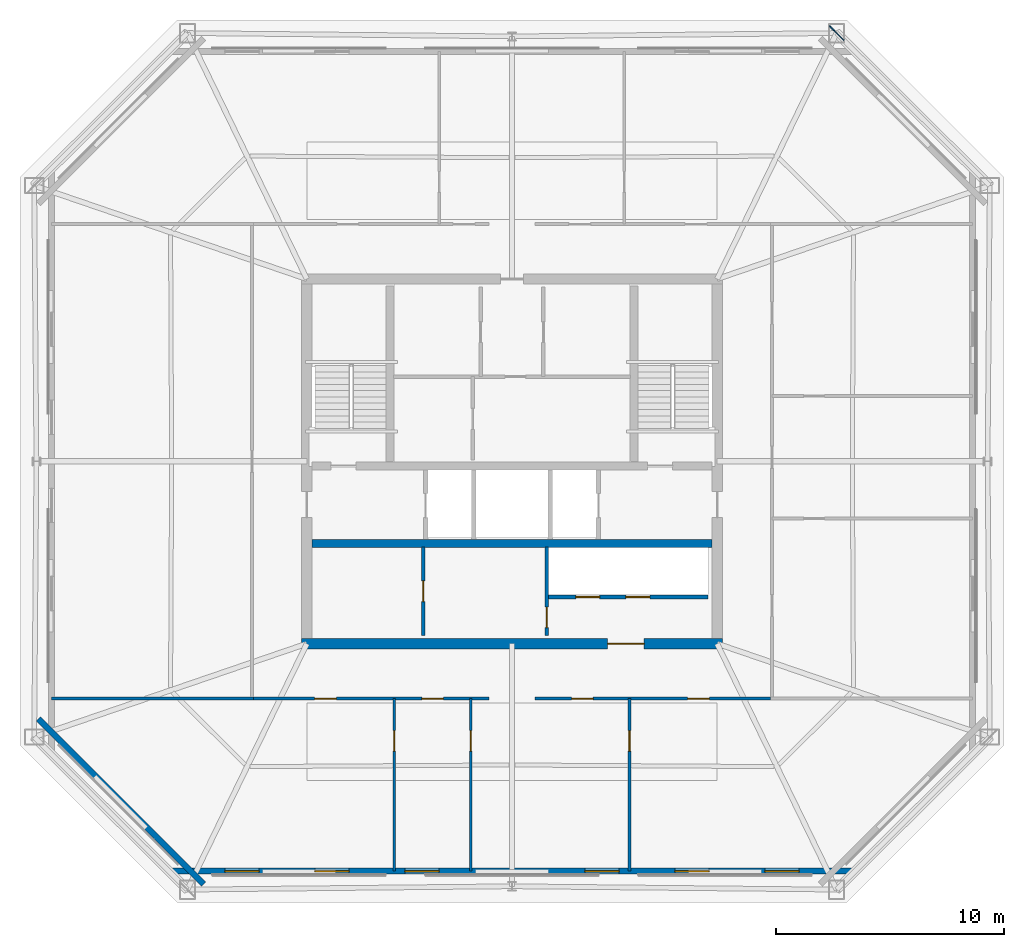
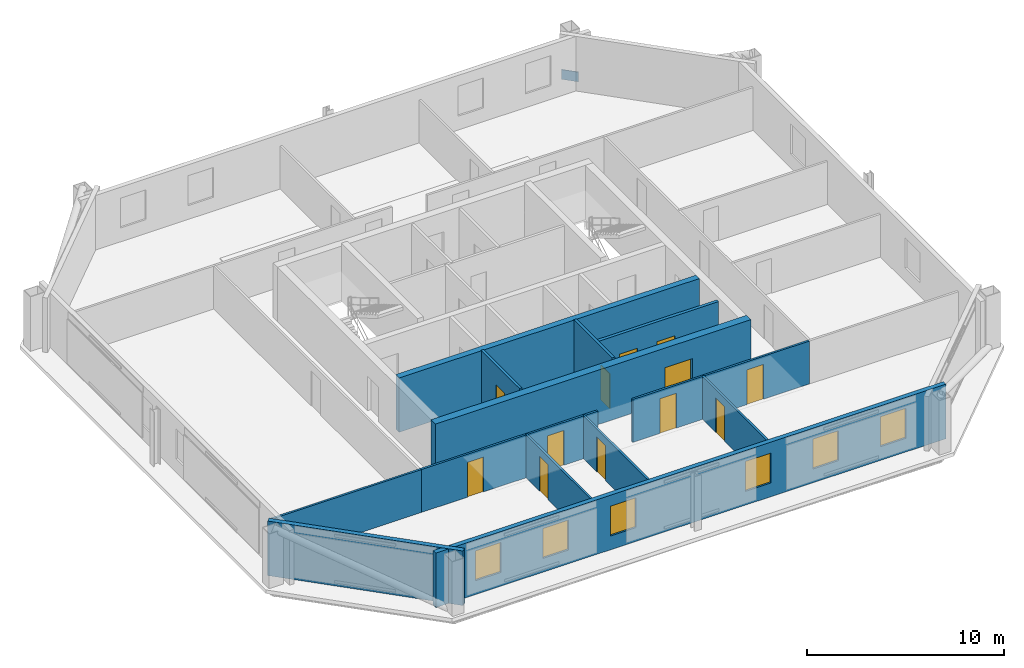
# One storey, part 2 of 6: 13 walls, 12 doors, 6 windows, 1 plate, 18 openings.
"""IFC4 building model written with IfcOpenShell, lengths in metres."""

from ifc_helpers import new_model, si_unit, direction, frame, frame_2d, origin, origin_2d, place, context, subcontext, project, spatial, rectangle, extrude, material, layer, layer_set, type_object, element, fill, save


model = new_model("IFC4")

# Units and contexts
model_context = context("Model", 3, precision=1e-05, world=origin(), true_north=direction((0.0, 1.0)))
body_context = subcontext(model_context, "Body", "Model", "MODEL_VIEW")
ifc_project = project(units=[si_unit("LENGTHUNIT", "METRE"), si_unit("AREAUNIT", "SQUARE_METRE"), si_unit("VOLUMEUNIT", "CUBIC_METRE"), si_unit("PLANEANGLEUNIT", "RADIAN"), si_unit("MASSUNIT", "GRAM", prefix="KILO")], contexts=[model_context])

# Site, building, storey
site_placement = place(None, origin())
site = spatial("IfcSite", under=ifc_project, at=site_placement, CompositionType="ELEMENT")
building_placement = place(site_placement, origin())
building = spatial("IfcBuilding", under=site, at=building_placement, Name="Caelvoria Tower", CompositionType="ELEMENT")
storey_placement = place(building_placement, frame((0.0, 0.0, 209.39990234375)))
storey = spatial("IfcBuildingStorey", under=building, at=storey_placement, Name="L55", CompositionType="ELEMENT", Elevation=209.39990234375)

# Plate
ifc_material_1 = material(Name="Structural Steel ASTM A572 Gr.50", Category="steel")
ifc_layer_1 = layer(ifc_material_1, 0.0400390625, Name="Structural Steel ASTM A572 Gr.50")
ifc_layer_set_1 = layer_set([ifc_layer_1], Name="Megaframe Node Gusset Plate 900x600x40 - Structural Steel ASTM A572 Gr.50")
plate_type = type_object("IfcPlateType", Name="Megaframe Node Gusset Plate 900x600x40", PredefinedType="USERDEFINED", material=ifc_layer_set_1)
plate_placement = place(storey_placement, frame((60.242431640625, 50.789794921875, 0.02001953125), z_axis=(0.0, 0.0, 1.0), x_axis=(0.708439620888, -0.70577142444, 0.0)))
element("IfcPlate", 1, at=plate_placement, inside=storey, type_object=plate_type, Name="Chamfer Mega Brace Gusset L55 NE", ObjectType="GUSSET_PLATE", PredefinedType="USERDEFINED", context=body_context, shape_type="SweptSolid", body=[
    extrude(rectangle(XDim=0.89990234375, YDim=0.0400390625, at=origin_2d()), origin(), (0.0, 0.0, 1.0), 0.60009765625),
])

# Wall
ifc_material_2 = material(Name="Concrete C50/60", Category="concrete")
ifc_layer_2 = layer(ifc_material_2, 0.35009765625, Name="Concrete C50/60")
ifc_layer_set_2 = layer_set([ifc_layer_2], Name="Core Internal Shear Wall 350 - Concrete C50/60")
wall_type_1 = type_object("IfcWallType", Name="Core Internal Shear Wall 350", PredefinedType="SHEAR", material=ifc_layer_set_2)
wall_1_placement = place(storey_placement, frame((37.22509765625, 28.39990234375, 0.0), z_axis=(0.0, 0.0, 1.0), x_axis=(1.0, 0.0, 0.0)))
element("IfcWall", 2, at=wall_1_placement, inside=storey, type_object=wall_type_1, Name="Core Shear Wall L55 M2", PredefinedType="SHEAR", context=body_context, shape_type="SweptSolid", body=[
    extrude(rectangle(XDim=17.5498046875, YDim=0.35009765625, at=frame_2d((8.77490234375, 0.0))), origin(), (0.0, 0.0, 1.0), 3.360107421875),
])

# Wall, opening, door
ifc_material_3 = material(Name="Double Gypsum Board on Steel Stud", Category="steel")
ifc_layer_3 = layer(ifc_material_3, 0.14990234375, Name="Double Gypsum Board on Steel Stud")
ifc_layer_set_3 = layer_set([ifc_layer_3], Name="Core Service Acoustic Partition Wall 150 - Double Gypsum Board on Steel Stud")
wall_type_2 = type_object("IfcWallType", Name="Core Service Acoustic Partition Wall 150", PredefinedType="PARTITIONING", material=ifc_layer_set_3)
wall_2_placement = place(storey_placement, frame((42.10009765625, 24.35009765625, 0.0), z_axis=(0.0, 0.0, 1.0), x_axis=(0.0, 1.0, 0.0)))
wall_2 = element("IfcWall", 3, at=wall_2_placement, inside=storey, type_object=wall_type_2, Name="Interior Partition IW-L55-RECL-MID", PredefinedType="PARTITIONING", context=body_context, shape_type="SweptSolid", body=[
    extrude(rectangle(XDim=3.89990234375, YDim=0.14990234375, at=frame_2d((1.949951171875, 0.0))), origin(), (0.0, 0.0, 1.0), 3.375),
])
opening_1_placement = place(wall_2_placement, frame((1.5, 0.0, 0.0)))
opening_1 = element("IfcOpeningElement", 4, at=opening_1_placement, cuts=wall_2, Name="Opening ID-06", PredefinedType="OPENING", context=body_context, shape_type="SweptSolid", body=[
    extrude(rectangle(XDim=0.89990234375, YDim=2.14990234375, at=frame_2d((0.449951171875, 1.074951171875))), frame((0.0, 0.0849609375, 0.0), z_axis=(0.0, -1.0, 0.0), x_axis=(1.0, 0.0, 0.0)), (0.0, 0.0, 1.0), 0.169921875),
])
ifc_material_4 = material(Name="Engineered Andean Oak Veneer Door", Category="wood")
door_type_1 = type_object("IfcDoorType", Name="Interior Timber Door 900x2150", OperationType="NOTDEFINED", PredefinedType="DOOR", material=ifc_material_4)
door_1_placement = place(opening_1_placement, origin())
door_1 = element("IfcDoor", 5, at=door_1_placement, inside=storey, type_object=door_type_1, Name="Interior Door DR-L55-RECL12", OperationType="SINGLE_SWING_LEFT", OverallHeight=2.14990234375, OverallWidth=0.89990234375, PredefinedType="DOOR", context=body_context, shape_type="SweptSolid", body=[
    extrude(rectangle(XDim=0.89990234375, YDim=2.14990234375, at=frame_2d((0.449951171875, 1.074951171875))), frame((0.0, 0.02490234375, 0.0), z_axis=(0.0, -1.0, 0.0), x_axis=(1.0, 0.0, 0.0)), (0.0, 0.0, 1.0), 0.050048828125),
])
fill(opening_1, door_1)

wall_3_placement = place(storey_placement, frame((47.52001953125, 24.35009765625, 0.0), z_axis=(0.0, 0.0, 1.0), x_axis=(0.0, 1.0, 0.0)))
wall_3 = element("IfcWall", 6, at=wall_3_placement, inside=storey, type_object=wall_type_2, Name="Interior Partition IW-L55-RECL2E", PredefinedType="PARTITIONING", context=body_context, shape_type="SweptSolid", body=[
    extrude(rectangle(XDim=3.89990234375, YDim=0.14990234375, at=frame_2d((1.949951171875, 0.0))), origin(), (0.0, 0.0, 1.0), 3.375),
])
opening_2_placement = place(wall_3_placement, frame((0.35009765625, 0.0, 0.0)))
opening_2 = element("IfcOpeningElement", 7, at=opening_2_placement, cuts=wall_3, Name="Opening ID-04", PredefinedType="OPENING", context=body_context, shape_type="SweptSolid", body=[
    extrude(rectangle(XDim=0.89990234375, YDim=2.14990234375, at=frame_2d((0.449951171875, 1.074951171875))), frame((0.0, 0.0849609375, 0.0), z_axis=(0.0, -1.0, 0.0), x_axis=(1.0, 0.0, 0.0)), (0.0, 0.0, 1.0), 0.169921875),
])
ifc_material_5 = material(Name="Acoustic Timber Fire Door", Category="wood")
door_type_2 = type_object("IfcDoorType", Name="Fire Door FD30S 900x2150", OperationType="NOTDEFINED", PredefinedType="DOOR", material=ifc_material_5)
door_2_placement = place(opening_2_placement, origin())
door_2 = element("IfcDoor", 8, at=door_2_placement, inside=storey, type_object=door_type_2, Name="Interior Door DR-L55-RECL2", OperationType="SINGLE_SWING_RIGHT", OverallHeight=2.14990234375, OverallWidth=0.89990234375, PredefinedType="DOOR", context=body_context, shape_type="SweptSolid", body=[
    extrude(rectangle(XDim=0.89990234375, YDim=2.14990234375, at=frame_2d((0.449951171875, 1.074951171875))), frame((0.0, 0.02490234375, 0.0), z_axis=(0.0, -1.0, 0.0), x_axis=(1.0, 0.0, 0.0)), (0.0, 0.0, 1.0), 0.050048828125),
])
fill(opening_2, door_2)

# Wall, openings, doors
ifc_material_6 = material(Name="Concrete Block and Fireboard Assembly", Category="concrete")
ifc_layer_4 = layer(ifc_material_6, 0.179931640625, Name="Concrete Block and Fireboard Assembly")
ifc_layer_set_4 = layer_set([ifc_layer_4], Name="Fire-Rated Hoistway Partition Wall 180 - Concrete Block and Fireboard Assembly")
wall_type_3 = type_object("IfcWallType", Name="Fire-Rated Hoistway Partition Wall 180", PredefinedType="PARTITIONING", material=ifc_layer_set_4)
wall_4_placement = place(storey_placement, frame((47.60009765625, 26.050048828125, 0.0), z_axis=(0.0, 0.0, 1.0), x_axis=(1.0, 0.0, 0.0)))
wall_4 = element("IfcWall", 9, at=wall_4_placement, inside=storey, type_object=wall_type_3, Name="Interior Partition IW-L55-LFRONT", PredefinedType="PARTITIONING", context=body_context, shape_type="SweptSolid", body=[
    extrude(rectangle(XDim=7.0, YDim=0.179931640625, at=frame_2d((3.5, 0.0))), origin(), (0.0, 0.0, 1.0), 3.375),
])
opening_3_placement = place(wall_4_placement, frame((1.199951171875, 0.0, 0.0)))
opening_3 = element("IfcOpeningElement", 10, at=opening_3_placement, cuts=wall_4, Name="Opening LD-01", PredefinedType="OPENING", context=body_context, shape_type="SweptSolid", body=[
    extrude(rectangle(XDim=1.050048828125, YDim=2.14990234375, at=frame_2d((0.52490234375, 1.074951171875))), frame((0.0, 0.099853515625, 0.0), z_axis=(0.0, -1.0, 0.0), x_axis=(1.0, 0.0, 0.0)), (0.0, 0.0, 1.0), 0.199951171875),
])
opening_4_placement = place(wall_4_placement, frame((3.39990234375, 0.0, 0.0)))
opening_4 = element("IfcOpeningElement", 11, at=opening_4_placement, cuts=wall_4, Name="Opening LD-01", PredefinedType="OPENING", context=body_context, shape_type="SweptSolid", body=[
    extrude(rectangle(XDim=1.050048828125, YDim=2.14990234375, at=frame_2d((0.52490234375, 1.074951171875))), frame((0.0, 0.099853515625, 0.0), z_axis=(0.0, -1.0, 0.0), x_axis=(1.0, 0.0, 0.0)), (0.0, 0.0, 1.0), 0.199951171875),
])
ifc_material_7 = material(Name="Brushed Bronze Stainless Sliding Landing Door", Category="aluminium")
door_type_3 = type_object("IfcDoorType", Name="Lift Landing Sliding Door 1100x2150", OperationType="NOTDEFINED", PredefinedType="DOOR", material=ifc_material_7)
door_3_placement = place(opening_3_placement, origin())
door_3 = element("IfcDoor", 12, at=door_3_placement, inside=storey, type_object=door_type_3, Name="Interior Door LD-L55-PH1", OperationType="SLIDING_TO_LEFT", OverallHeight=2.14990234375, OverallWidth=1.050048828125, PredefinedType="DOOR", context=body_context, shape_type="SweptSolid", body=[
    extrude(rectangle(XDim=1.050048828125, YDim=2.14990234375, at=frame_2d((0.52490234375, 1.074951171875))), frame((0.0, 0.02490234375, 0.0), z_axis=(0.0, -1.0, 0.0), x_axis=(1.0, 0.0, 0.0)), (0.0, 0.0, 1.0), 0.050048828125),
])
fill(opening_3, door_3)
door_4_placement = place(opening_4_placement, origin())
door_4 = element("IfcDoor", 13, at=door_4_placement, inside=storey, type_object=door_type_3, Name="Interior Door LD-L55-PH2", OperationType="SLIDING_TO_RIGHT", OverallHeight=2.14990234375, OverallWidth=1.050048828125, PredefinedType="DOOR", context=body_context, shape_type="SweptSolid", body=[
    extrude(rectangle(XDim=1.050048828125, YDim=2.14990234375, at=frame_2d((0.52490234375, 1.074951171875))), frame((0.0, 0.02490234375, 0.0), z_axis=(0.0, -1.0, 0.0), x_axis=(1.0, 0.0, 0.0)), (0.0, 0.0, 1.0), 0.050048828125),
])
fill(opening_4, door_4)

# Wall, opening, door
ifc_material_8 = material(Name="Acoustic Gypsum Board on Light-Gauge Stud", Category="gypsum")
ifc_layer_5 = layer(ifc_material_8, 0.1201171875, Name="Acoustic Gypsum Board on Light-Gauge Stud")
ifc_layer_set_5 = layer_set([ifc_layer_5], Name="Tenant Suite Acoustic Partition Wall 120 - Acoustic Gypsum Board on Light-Gauge Stud")
wall_type_4 = type_object("IfcWallType", Name="Tenant Suite Acoustic Partition Wall 120", PredefinedType="PARTITIONING", material=ifc_layer_set_5)
wall_5_placement = place(storey_placement, frame((40.83935546875, 21.590087890625, 0.0), z_axis=(0.0, 0.0, 1.0), x_axis=(0.0, -1.0, 0.0)))
wall_5 = element("IfcWall", 14, at=wall_5_placement, inside=storey, type_object=wall_type_4, Name="Interior Partition IW-L55-SD-00-0", PredefinedType="PARTITIONING", context=body_context, shape_type="SweptSolid", body=[
    extrude(rectangle(XDim=7.57373046875, YDim=0.1201171875, at=frame_2d((3.786865234375, 0.0))), origin(), (0.0, 0.0, 1.0), 2.655029296875),
])
opening_5_placement = place(wall_5_placement, frame((1.39990234375, 0.0, 0.0)))
opening_5 = element("IfcOpeningElement", 15, at=opening_5_placement, cuts=wall_5, Name="Opening ID-06", PredefinedType="OPENING", context=body_context, shape_type="SweptSolid", body=[
    extrude(rectangle(XDim=0.89990234375, YDim=2.14990234375, at=frame_2d((0.449951171875, 1.074951171875))), frame((0.0, 0.070068359375, 0.0), z_axis=(0.0, -1.0, 0.0), x_axis=(1.0, 0.0, 0.0)), (0.0, 0.0, 1.0), 0.14013671875),
])
door_5_placement = place(opening_5_placement, origin())
door_5 = element("IfcDoor", 16, at=door_5_placement, inside=storey, type_object=door_type_1, Name="Interior Door DR-L55-SM-00-0", OperationType="SINGLE_SWING_RIGHT", OverallHeight=2.14990234375, OverallWidth=0.89990234375, PredefinedType="DOOR", context=body_context, shape_type="SweptSolid", body=[
    extrude(rectangle(XDim=0.89990234375, YDim=2.14990234375, at=frame_2d((0.449951171875, 1.074951171875))), frame((0.0, 0.02490234375, 0.0), z_axis=(0.0, -1.0, 0.0), x_axis=(1.0, 0.0, 0.0)), (0.0, 0.0, 1.0), 0.050048828125),
])
fill(opening_5, door_5)

wall_6_placement = place(storey_placement, frame((44.19580078125, 21.590087890625, 0.0), z_axis=(0.0, 0.0, 1.0), x_axis=(0.0, -1.0, 0.0)))
wall_6 = element("IfcWall", 17, at=wall_6_placement, inside=storey, type_object=wall_type_4, Name="Interior Partition IW-L55-SD-01-0", PredefinedType="PARTITIONING", context=body_context, shape_type="SweptSolid", body=[
    extrude(rectangle(XDim=7.57373046875, YDim=0.1201171875, at=frame_2d((3.786865234375, 0.0))), origin(), (0.0, 0.0, 1.0), 2.655029296875),
])
opening_6_placement = place(wall_6_placement, frame((1.39990234375, 0.0, 0.0)))
opening_6 = element("IfcOpeningElement", 18, at=opening_6_placement, cuts=wall_6, Name="Opening ID-06", PredefinedType="OPENING", context=body_context, shape_type="SweptSolid", body=[
    extrude(rectangle(XDim=0.89990234375, YDim=2.14990234375, at=frame_2d((0.449951171875, 1.074951171875))), frame((0.0, 0.070068359375, 0.0), z_axis=(0.0, -1.0, 0.0), x_axis=(1.0, 0.0, 0.0)), (0.0, 0.0, 1.0), 0.14013671875),
])
door_6_placement = place(opening_6_placement, origin())
door_6 = element("IfcDoor", 19, at=door_6_placement, inside=storey, type_object=door_type_1, Name="Interior Door DR-L55-SM-01-0", OperationType="SINGLE_SWING_LEFT", OverallHeight=2.14990234375, OverallWidth=0.89990234375, PredefinedType="DOOR", context=body_context, shape_type="SweptSolid", body=[
    extrude(rectangle(XDim=0.89990234375, YDim=2.14990234375, at=frame_2d((0.449951171875, 1.074951171875))), frame((0.0, 0.02490234375, 0.0), z_axis=(0.0, -1.0, 0.0), x_axis=(1.0, 0.0, 0.0)), (0.0, 0.0, 1.0), 0.050048828125),
])
fill(opening_6, door_6)

wall_7_placement = place(storey_placement, frame((51.155517578125, 21.590087890625, 0.0), z_axis=(0.0, 0.0, 1.0), x_axis=(0.0, -1.0, 0.0)))
wall_7 = element("IfcWall", 20, at=wall_7_placement, inside=storey, type_object=wall_type_4, Name="Interior Partition IW-L55-SD-02-0", PredefinedType="PARTITIONING", context=body_context, shape_type="SweptSolid", body=[
    extrude(rectangle(XDim=7.57373046875, YDim=0.1201171875, at=frame_2d((3.786865234375, 0.0))), origin(), (0.0, 0.0, 1.0), 2.655029296875),
])
opening_7_placement = place(wall_7_placement, frame((1.39990234375, 0.0, 0.0)))
opening_7 = element("IfcOpeningElement", 21, at=opening_7_placement, cuts=wall_7, Name="Opening ID-06", PredefinedType="OPENING", context=body_context, shape_type="SweptSolid", body=[
    extrude(rectangle(XDim=0.89990234375, YDim=2.14990234375, at=frame_2d((0.449951171875, 1.074951171875))), frame((0.0, 0.070068359375, 0.0), z_axis=(0.0, -1.0, 0.0), x_axis=(1.0, 0.0, 0.0)), (0.0, 0.0, 1.0), 0.14013671875),
])
door_7_placement = place(opening_7_placement, origin())
door_7 = element("IfcDoor", 22, at=door_7_placement, inside=storey, type_object=door_type_1, Name="Interior Door DR-L55-SM-02-0", OperationType="SINGLE_SWING_RIGHT", OverallHeight=2.14990234375, OverallWidth=0.89990234375, PredefinedType="DOOR", context=body_context, shape_type="SweptSolid", body=[
    extrude(rectangle(XDim=0.89990234375, YDim=2.14990234375, at=frame_2d((0.449951171875, 1.074951171875))), frame((0.0, 0.02490234375, 0.0), z_axis=(0.0, -1.0, 0.0), x_axis=(1.0, 0.0, 0.0)), (0.0, 0.0, 1.0), 0.050048828125),
])
fill(opening_7, door_7)

# Wall, openings, doors
wall_8_placement = place(storey_placement, frame((34.64990234375, 21.590087890625, 0.0), z_axis=(0.0, 0.0, 1.0), x_axis=(1.0, 0.0, 0.0)))
wall_8 = element("IfcWall", 23, at=wall_8_placement, inside=storey, type_object=wall_type_4, Name="Interior Partition IW-L55-SCW-0", PredefinedType="PARTITIONING", context=body_context, shape_type="SweptSolid", body=[
    extrude(rectangle(XDim=10.330078125, YDim=0.1201171875, at=frame_2d((5.1650390625, 0.0))), origin(), (0.0, 0.0, 1.0), 2.655029296875),
])
opening_8_placement = place(wall_8_placement, frame((2.689697265625, 0.0, 0.0)))
opening_8 = element("IfcOpeningElement", 24, at=opening_8_placement, cuts=wall_8, Name="Opening ID-05", PredefinedType="OPENING", context=body_context, shape_type="SweptSolid", body=[
    extrude(rectangle(XDim=0.949951171875, YDim=2.14990234375, at=frame_2d((0.47509765625, 1.074951171875))), frame((0.0, 0.070068359375, 0.0), z_axis=(0.0, -1.0, 0.0), x_axis=(1.0, 0.0, 0.0)), (0.0, 0.0, 1.0), 0.14013671875),
])
opening_9_placement = place(wall_8_placement, frame((7.392578125, 0.0, 0.0)))
opening_9 = element("IfcOpeningElement", 25, at=opening_9_placement, cuts=wall_8, Name="Opening ID-05", PredefinedType="OPENING", context=body_context, shape_type="SweptSolid", body=[
    extrude(rectangle(XDim=0.949951171875, YDim=2.14990234375, at=frame_2d((0.47509765625, 1.074951171875))), frame((0.0, 0.070068359375, 0.0), z_axis=(0.0, -1.0, 0.0), x_axis=(1.0, 0.0, 0.0)), (0.0, 0.0, 1.0), 0.14013671875),
])
door_type_4 = type_object("IfcDoorType", Name="Interior Timber Door 950x2150", OperationType="NOTDEFINED", PredefinedType="DOOR", material=ifc_material_4)
door_8_placement = place(opening_8_placement, origin())
door_8 = element("IfcDoor", 26, at=door_8_placement, inside=storey, type_object=door_type_4, Name="Interior Door DR-L55-SC-00-0", OperationType="SINGLE_SWING_RIGHT", OverallHeight=2.14990234375, OverallWidth=0.949951171875, PredefinedType="DOOR", context=body_context, shape_type="SweptSolid", body=[
    extrude(rectangle(XDim=0.949951171875, YDim=2.14990234375, at=frame_2d((0.47509765625, 1.074951171875))), frame((0.0, 0.02490234375, 0.0), z_axis=(0.0, -1.0, 0.0), x_axis=(1.0, 0.0, 0.0)), (0.0, 0.0, 1.0), 0.050048828125),
])
fill(opening_8, door_8)
door_9_placement = place(opening_9_placement, origin())
door_9 = element("IfcDoor", 27, at=door_9_placement, inside=storey, type_object=door_type_4, Name="Interior Door DR-L55-SC-01-0", OperationType="SINGLE_SWING_LEFT", OverallHeight=2.14990234375, OverallWidth=0.949951171875, PredefinedType="DOOR", context=body_context, shape_type="SweptSolid", body=[
    extrude(rectangle(XDim=0.949951171875, YDim=2.14990234375, at=frame_2d((0.47509765625, 1.074951171875))), frame((0.0, 0.02490234375, 0.0), z_axis=(0.0, -1.0, 0.0), x_axis=(1.0, 0.0, 0.0)), (0.0, 0.0, 1.0), 0.050048828125),
])
fill(opening_9, door_9)

wall_9_placement = place(storey_placement, frame((47.02001953125, 21.590087890625, 0.0), z_axis=(0.0, 0.0, 1.0), x_axis=(1.0, 0.0, 0.0)))
wall_9 = element("IfcWall", 28, at=wall_9_placement, inside=storey, type_object=wall_type_4, Name="Interior Partition IW-L55-SCW-1", PredefinedType="PARTITIONING", context=body_context, shape_type="SweptSolid", body=[
    extrude(rectangle(XDim=10.330078125, YDim=0.1201171875, at=frame_2d((5.1650390625, 0.0))), origin(), (0.0, 0.0, 1.0), 2.655029296875),
])
opening_10_placement = place(wall_9_placement, frame((1.5927734375, 0.0, 0.0)))
opening_10 = element("IfcOpeningElement", 29, at=opening_10_placement, cuts=wall_9, Name="Opening ID-05", PredefinedType="OPENING", context=body_context, shape_type="SweptSolid", body=[
    extrude(rectangle(XDim=0.949951171875, YDim=2.14990234375, at=frame_2d((0.47509765625, 1.074951171875))), frame((0.0, 0.070068359375, 0.0), z_axis=(0.0, -1.0, 0.0), x_axis=(1.0, 0.0, 0.0)), (0.0, 0.0, 1.0), 0.14013671875),
])
opening_11_placement = place(wall_9_placement, frame((6.687744140625, 0.0, 0.0)))
opening_11 = element("IfcOpeningElement", 30, at=opening_11_placement, cuts=wall_9, Name="Opening ID-05", PredefinedType="OPENING", context=body_context, shape_type="SweptSolid", body=[
    extrude(rectangle(XDim=0.949951171875, YDim=2.14990234375, at=frame_2d((0.47509765625, 1.074951171875))), frame((0.0, 0.070068359375, 0.0), z_axis=(0.0, -1.0, 0.0), x_axis=(1.0, 0.0, 0.0)), (0.0, 0.0, 1.0), 0.14013671875),
])
door_10_placement = place(opening_10_placement, origin())
door_10 = element("IfcDoor", 31, at=door_10_placement, inside=storey, type_object=door_type_4, Name="Interior Door DR-L55-SC-02-0", OperationType="SINGLE_SWING_RIGHT", OverallHeight=2.14990234375, OverallWidth=0.949951171875, PredefinedType="DOOR", context=body_context, shape_type="SweptSolid", body=[
    extrude(rectangle(XDim=0.949951171875, YDim=2.14990234375, at=frame_2d((0.47509765625, 1.074951171875))), frame((0.0, 0.02490234375, 0.0), z_axis=(0.0, -1.0, 0.0), x_axis=(1.0, 0.0, 0.0)), (0.0, 0.0, 1.0), 0.050048828125),
])
fill(opening_10, door_10)
door_11_placement = place(opening_11_placement, origin())
door_11 = element("IfcDoor", 32, at=door_11_placement, inside=storey, type_object=door_type_4, Name="Interior Door DR-L55-SC-03-0", OperationType="SINGLE_SWING_LEFT", OverallHeight=2.14990234375, OverallWidth=0.949951171875, PredefinedType="DOOR", context=body_context, shape_type="SweptSolid", body=[
    extrude(rectangle(XDim=0.949951171875, YDim=2.14990234375, at=frame_2d((0.47509765625, 1.074951171875))), frame((0.0, 0.02490234375, 0.0), z_axis=(0.0, -1.0, 0.0), x_axis=(1.0, 0.0, 0.0)), (0.0, 0.0, 1.0), 0.050048828125),
])
fill(opening_11, door_11)

# Wall
wall_10_placement = place(storey_placement, frame((34.64990234375, 21.590087890625, 0.0), z_axis=(0.0, 0.0, 1.0), x_axis=(-1.0, 0.0, 0.0)))
element("IfcWall", 33, at=wall_10_placement, inside=storey, type_object=wall_type_4, Name="Interior Partition IW-L55-BSW-0", PredefinedType="PARTITIONING", context=body_context, shape_type="SweptSolid", body=[
    extrude(rectangle(XDim=8.856201171875, YDim=0.1201171875, at=frame_2d((4.42822265625, 0.0))), origin(), (0.0, 0.0, 1.0), 2.655029296875),
])

# Wall, opening, door
ifc_layer_6 = layer(ifc_material_2, 0.449951171875, Name="Concrete C50/60")
ifc_layer_set_6 = layer_set([ifc_layer_6], Name="Upper Core Shear Wall 450 - Concrete C50/60")
wall_type_5 = type_object("IfcWallType", Name="Upper Core Shear Wall 450", PredefinedType="SHEAR", material=ifc_layer_set_6)
wall_11_placement = place(storey_placement, frame((36.77490234375, 24.0, 0.0), z_axis=(0.0, 0.0, 1.0), x_axis=(1.0, 0.0, 0.0)))
wall_11 = element("IfcWall", 34, at=wall_11_placement, inside=storey, type_object=wall_type_5, Name="Core Shear Wall L55 S", PredefinedType="SHEAR", context=body_context, shape_type="SweptSolid", body=[
    extrude(rectangle(XDim=18.4501953125, YDim=0.449951171875, at=frame_2d((9.22509765625, 0.0))), origin(), (0.0, 0.0, 1.0), 3.360107421875),
])
opening_12_placement = place(wall_11_placement, frame((13.425048828125, 0.0, 0.0)))
opening_12 = element("IfcOpeningElement", 35, at=opening_12_placement, cuts=wall_11, Name="Opening ID-08", PredefinedType="OPENING", context=body_context, shape_type="SweptSolid", body=[
    extrude(rectangle(XDim=1.60009765625, YDim=2.14990234375, at=frame_2d((0.800048828125, 1.074951171875))), frame((0.0, 0.23486328125, 0.0), z_axis=(0.0, -1.0, 0.0), x_axis=(1.0, 0.0, 0.0)), (0.0, 0.0, 1.0), 0.469970703125),
])
ifc_material_9 = material(Name="Bronze-Framed Fire-Rated Glazed Double Door", Category="aluminium")
door_type_5 = type_object("IfcDoorType", Name="Double Lobby Glazed Door 1600x2200", OperationType="NOTDEFINED", PredefinedType="DOOR", material=ifc_material_9)
door_12_placement = place(opening_12_placement, origin())
door_12 = element("IfcDoor", 36, at=door_12_placement, inside=storey, type_object=door_type_5, Name="Core Door DR-L55-LLOB-S2", OperationType="DOUBLE_DOOR_SINGLE_SWING", OverallHeight=2.14990234375, OverallWidth=1.60009765625, PredefinedType="DOOR", context=body_context, shape_type="SweptSolid", body=[
    extrude(rectangle(XDim=1.60009765625, YDim=2.14990234375, at=frame_2d((0.800048828125, 1.074951171875))), frame((0.0, 0.02490234375, 0.0), z_axis=(0.0, -1.0, 0.0), x_axis=(1.0, 0.0, 0.0)), (0.0, 0.0, 1.0), 0.050048828125),
])
fill(opening_12, door_12)

# Wall, openings, windows
ifc_material_10 = material(Name="Precast Concrete C40/50 with Bronze Cladding", Category="concrete")
ifc_layer_7 = layer(ifc_material_10, 0.264892578125, Name="Precast Concrete C40/50 with Bronze Cladding")
ifc_layer_set_7 = layer_set([ifc_layer_7], Name="Upper Taper Precast Concrete C40/50 Bronze Facade Wall 265 - Precast Concrete C40/50 with Bronze Cladding")
wall_type_6 = type_object("IfcWallType", Name="Upper Taper Precast Concrete C40/50 Bronze Facade Wall 265", PredefinedType="STANDARD", material=ifc_layer_set_7)
wall_12_placement = place(storey_placement, frame((31.082763671875, 14.016357421875, 0.0), z_axis=(0.0, 0.0, 1.0), x_axis=(1.0, 0.0, 0.0)))
wall_12 = element("IfcWall", 37, at=wall_12_placement, inside=storey, type_object=wall_type_6, Name="Exterior Facade Wall L55-E0", PredefinedType="STANDARD", context=body_context, shape_type="SweptSolid", body=[
    extrude(rectangle(XDim=29.83447265625, YDim=0.264892578125, at=frame_2d((14.917236328125, 0.0))), origin(), (0.0, 0.0, 1.0), 3.375),
])
opening_13_placement = place(wall_12_placement, frame((2.323974609375, 0.0, 0.85009765625)))
opening_13 = element("IfcOpeningElement", 38, at=opening_13_placement, cuts=wall_12, Name="Opening WN-03", PredefinedType="OPENING", context=body_context, shape_type="SweptSolid", body=[
    extrude(rectangle(XDim=1.5, YDim=1.85009765625, at=frame_2d((0.75, 0.925048828125))), frame((0.0, 0.142333984375, 0.0), z_axis=(0.0, -1.0, 0.0), x_axis=(1.0, 0.0, 0.0)), (0.0, 0.0, 1.0), 0.284912109375),
])
opening_14_placement = place(wall_12_placement, frame((6.271728515625, 0.0, 0.85009765625)))
opening_14 = element("IfcOpeningElement", 39, at=opening_14_placement, cuts=wall_12, Name="Opening WN-03", PredefinedType="OPENING", context=body_context, shape_type="SweptSolid", body=[
    extrude(rectangle(XDim=1.5, YDim=1.85009765625, at=frame_2d((0.75, 0.925048828125))), frame((0.0, 0.142333984375, 0.0), z_axis=(0.0, -1.0, 0.0), x_axis=(1.0, 0.0, 0.0)), (0.0, 0.0, 1.0), 0.284912109375),
])
opening_15_placement = place(wall_12_placement, frame((10.219482421875, 0.0, 0.85009765625)))
opening_15 = element("IfcOpeningElement", 40, at=opening_15_placement, cuts=wall_12, Name="Opening WN-03", PredefinedType="OPENING", context=body_context, shape_type="SweptSolid", body=[
    extrude(rectangle(XDim=1.5, YDim=1.85009765625, at=frame_2d((0.75, 0.925048828125))), frame((0.0, 0.142333984375, 0.0), z_axis=(0.0, -1.0, 0.0), x_axis=(1.0, 0.0, 0.0)), (0.0, 0.0, 1.0), 0.284912109375),
])
opening_16_placement = place(wall_12_placement, frame((18.114990234375, 0.0, 0.85009765625)))
opening_16 = element("IfcOpeningElement", 41, at=opening_16_placement, cuts=wall_12, Name="Opening WN-03", PredefinedType="OPENING", context=body_context, shape_type="SweptSolid", body=[
    extrude(rectangle(XDim=1.5, YDim=1.85009765625, at=frame_2d((0.75, 0.925048828125))), frame((0.0, 0.142333984375, 0.0), z_axis=(0.0, -1.0, 0.0), x_axis=(1.0, 0.0, 0.0)), (0.0, 0.0, 1.0), 0.284912109375),
])
opening_17_placement = place(wall_12_placement, frame((22.06298828125, 0.0, 0.85009765625)))
opening_17 = element("IfcOpeningElement", 42, at=opening_17_placement, cuts=wall_12, Name="Opening WN-03", PredefinedType="OPENING", context=body_context, shape_type="SweptSolid", body=[
    extrude(rectangle(XDim=1.5, YDim=1.85009765625, at=frame_2d((0.75, 0.925048828125))), frame((0.0, 0.142333984375, 0.0), z_axis=(0.0, -1.0, 0.0), x_axis=(1.0, 0.0, 0.0)), (0.0, 0.0, 1.0), 0.284912109375),
])
opening_18_placement = place(wall_12_placement, frame((26.0107421875, 0.0, 0.85009765625)))
opening_18 = element("IfcOpeningElement", 43, at=opening_18_placement, cuts=wall_12, Name="Opening WN-03", PredefinedType="OPENING", context=body_context, shape_type="SweptSolid", body=[
    extrude(rectangle(XDim=1.5, YDim=1.85009765625, at=frame_2d((0.75, 0.925048828125))), frame((0.0, 0.142333984375, 0.0), z_axis=(0.0, -1.0, 0.0), x_axis=(1.0, 0.0, 0.0)), (0.0, 0.0, 1.0), 0.284912109375),
])
ifc_material_11 = material(Name="Low-E Tinted Glass in Bronze Aluminium Frame", Category="aluminium")
window_type = type_object("IfcWindowType", Name="Upper Taper Vision Window 1500x1850", PartitioningType="SINGLE_PANEL", PredefinedType="WINDOW", material=ifc_material_11)
window_1_placement = place(opening_13_placement, origin())
window_1 = element("IfcWindow", 44, at=window_1_placement, inside=storey, type_object=window_type, Name="Facade Window L55-E0-00", OverallHeight=1.85009765625, OverallWidth=1.5, PartitioningType="SINGLE_PANEL", PredefinedType="WINDOW", context=body_context, shape_type="SweptSolid", body=[
    extrude(rectangle(XDim=1.5, YDim=1.85009765625, at=frame_2d((0.75, 0.925048828125))), frame((0.0, 0.030029296875, 0.0), z_axis=(0.0, -1.0, 0.0), x_axis=(1.0, 0.0, 0.0)), (0.0, 0.0, 1.0), 0.06005859375),
])
fill(opening_13, window_1)
window_2_placement = place(opening_14_placement, origin())
window_2 = element("IfcWindow", 45, at=window_2_placement, inside=storey, type_object=window_type, Name="Facade Window L55-E0-01", OverallHeight=1.85009765625, OverallWidth=1.5, PartitioningType="SINGLE_PANEL", PredefinedType="WINDOW", context=body_context, shape_type="SweptSolid", body=[
    extrude(rectangle(XDim=1.5, YDim=1.85009765625, at=frame_2d((0.75, 0.925048828125))), frame((0.0, 0.030029296875, 0.0), z_axis=(0.0, -1.0, 0.0), x_axis=(1.0, 0.0, 0.0)), (0.0, 0.0, 1.0), 0.06005859375),
])
fill(opening_14, window_2)
window_3_placement = place(opening_15_placement, origin())
window_3 = element("IfcWindow", 46, at=window_3_placement, inside=storey, type_object=window_type, Name="Facade Window L55-E0-02", OverallHeight=1.85009765625, OverallWidth=1.5, PartitioningType="SINGLE_PANEL", PredefinedType="WINDOW", context=body_context, shape_type="SweptSolid", body=[
    extrude(rectangle(XDim=1.5, YDim=1.85009765625, at=frame_2d((0.75, 0.925048828125))), frame((0.0, 0.030029296875, 0.0), z_axis=(0.0, -1.0, 0.0), x_axis=(1.0, 0.0, 0.0)), (0.0, 0.0, 1.0), 0.06005859375),
])
fill(opening_15, window_3)
window_4_placement = place(opening_16_placement, origin())
window_4 = element("IfcWindow", 47, at=window_4_placement, inside=storey, type_object=window_type, Name="Facade Window L55-E0-04", OverallHeight=1.85009765625, OverallWidth=1.5, PartitioningType="SINGLE_PANEL", PredefinedType="WINDOW", context=body_context, shape_type="SweptSolid", body=[
    extrude(rectangle(XDim=1.5, YDim=1.85009765625, at=frame_2d((0.75, 0.925048828125))), frame((0.0, 0.030029296875, 0.0), z_axis=(0.0, -1.0, 0.0), x_axis=(1.0, 0.0, 0.0)), (0.0, 0.0, 1.0), 0.06005859375),
])
fill(opening_16, window_4)
window_5_placement = place(opening_17_placement, origin())
window_5 = element("IfcWindow", 48, at=window_5_placement, inside=storey, type_object=window_type, Name="Facade Window L55-E0-05", OverallHeight=1.85009765625, OverallWidth=1.5, PartitioningType="SINGLE_PANEL", PredefinedType="WINDOW", context=body_context, shape_type="SweptSolid", body=[
    extrude(rectangle(XDim=1.5, YDim=1.85009765625, at=frame_2d((0.75, 0.925048828125))), frame((0.0, 0.030029296875, 0.0), z_axis=(0.0, -1.0, 0.0), x_axis=(1.0, 0.0, 0.0)), (0.0, 0.0, 1.0), 0.06005859375),
])
fill(opening_17, window_5)
window_6_placement = place(opening_18_placement, origin())
window_6 = element("IfcWindow", 49, at=window_6_placement, inside=storey, type_object=window_type, Name="Facade Window L55-E0-06", OverallHeight=1.85009765625, OverallWidth=1.5, PartitioningType="SINGLE_PANEL", PredefinedType="WINDOW", context=body_context, shape_type="SweptSolid", body=[
    extrude(rectangle(XDim=1.5, YDim=1.85009765625, at=frame_2d((0.75, 0.925048828125))), frame((0.0, 0.030029296875, 0.0), z_axis=(0.0, -1.0, 0.0), x_axis=(1.0, 0.0, 0.0)), (0.0, 0.0, 1.0), 0.06005859375),
])
fill(opening_18, window_6)

# Wall
wall_13_placement = place(storey_placement, frame((25.2197265625, 20.69091796875, 0.0), z_axis=(0.0, 0.0, 1.0), x_axis=(0.707106781187, -0.707106781187, 0.0)))
element("IfcWall", 50, at=wall_13_placement, inside=storey, type_object=wall_type_6, Name="Exterior Facade Wall L55-E7", PredefinedType="STANDARD", context=body_context, shape_type="SweptSolid", body=[
    extrude(rectangle(XDim=10.2509765625, YDim=0.264892578125, at=frame_2d((5.12548828125, 0.0))), origin(), (0.0, 0.0, 1.0), 3.375),
])

save(model, "model.ifc")
